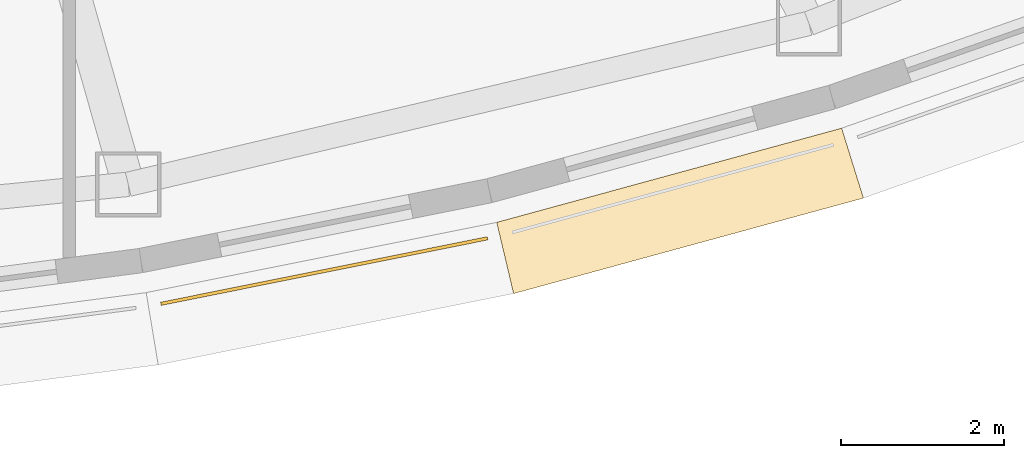
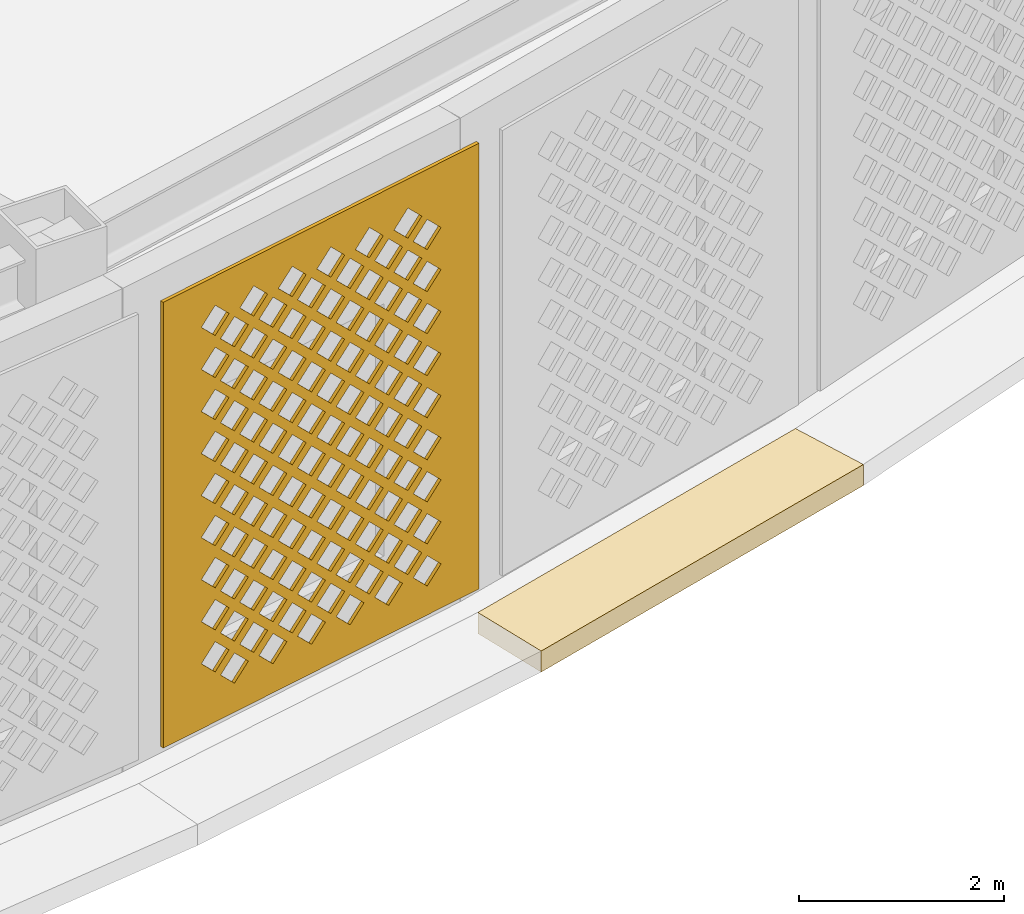
# One storey, part 61 of 74: 2 coverings.
"""IFC4 building model written with IfcOpenShell, lengths in metres."""

from ifc_helpers import new_model, si_unit, direction, frame, origin, place, context, subcontext, project, spatial, polyline, outline, extrude, material, layer, layer_set, type_object, element, save


model = new_model("IFC4")

# Units and contexts
model_context = context("Model", 3, precision=1e-05, world=origin(), true_north=direction((0.0, 1.0)))
body_context = subcontext(model_context, "Body", "Model", "MODEL_VIEW")
ifc_project = project(units=[si_unit("LENGTHUNIT", "METRE"), si_unit("AREAUNIT", "SQUARE_METRE"), si_unit("VOLUMEUNIT", "CUBIC_METRE"), si_unit("PLANEANGLEUNIT", "RADIAN"), si_unit("MASSUNIT", "GRAM", prefix="KILO")], contexts=[model_context])

# Site, building, storey
site_placement = place(None, origin())
site = spatial("IfcSite", under=ifc_project, at=site_placement, CompositionType="ELEMENT")
building_placement = place(site_placement, origin())
building = spatial("IfcBuilding", under=site, at=building_placement, Name="Noorbagh Ring Tower", CompositionType="ELEMENT")
storey_placement = place(building_placement, frame((0.0, 0.0, 13.5)))
storey = spatial("IfcBuildingStorey", under=building, at=storey_placement, Name="L02", CompositionType="ELEMENT", Elevation=13.5)

# Coverings
ifc_material_1 = material(Name="Red sandstone eave", Category="masonry")
covering_type_1 = type_object("IfcCoveringType", Name="STY-CHHAJJA", PredefinedType="USERDEFINED", material=ifc_material_1)
covering_1_placement = place(storey_placement, frame((0.0, 0.0, -0.25)))
element("IfcCovering", 1, at=covering_1_placement, inside=storey, type_object=covering_type_1, Name="Chhajja eave", ObjectType="CHHAJJA", PredefinedType="USERDEFINED", context=body_context, shape_type="SweptSolid", body=[
    extrude(outline(polyline([(15.2568359375, -38.239501953125), (19.49853515625, -37.081298828125), (19.7666015625, -37.941162109375), (15.464111328125, -39.115966796875), (15.2568359375, -38.239501953125)])), origin(), (0.0, 0.0, 1.0), 0.25),
])
ifc_material_2 = material(Name="Red sandstone jali", Category="masonry")
ifc_layer = layer(ifc_material_2, 0.0400390625)
ifc_layer_set = layer_set([ifc_layer], Name="Red sandstone jali")
covering_type_2 = type_object("IfcCoveringType", Name="STY-JALI", PredefinedType="USERDEFINED", material=ifc_layer_set)
covering_2_placement = place(storey_placement, frame((11.130126953125, -39.260498046875, 0.449951171875), z_axis=(0.196528665711, -0.980498079322, 0.0), x_axis=(0.980498079322, 0.196528665711, 0.0)))
element("IfcCovering", 2, at=covering_2_placement, inside=storey, type_object=covering_type_2, Name="Jali screen", ObjectType="SCREEN", PredefinedType="USERDEFINED", context=body_context, shape_type="SweptSolid", body=[
    extrude(outline(polyline([(0.0, 0.0), (4.096923828125, 0.0), (4.096923828125, 5.300048828125), (0.0, 5.300048828125), (0.0, 0.0)]), holes=[polyline([(0.743408203125, 0.52490234375), (0.923583984375, 0.344970703125), (1.103515625, 0.52490234375), (0.923583984375, 0.705078125), (0.743408203125, 0.52490234375)]), polyline([(1.243408203125, 0.52490234375), (1.423583984375, 0.344970703125), (1.603515625, 0.52490234375), (1.423583984375, 0.705078125), (1.243408203125, 0.52490234375)]), polyline([(1.743408203125, 0.52490234375), (1.923583984375, 0.344970703125), (2.103515625, 0.52490234375), (1.923583984375, 0.705078125), (1.743408203125, 0.52490234375)]), polyline([(2.243408203125, 0.52490234375), (2.423583984375, 0.344970703125), (2.603515625, 0.52490234375), (2.423583984375, 0.705078125), (2.243408203125, 0.52490234375)]), polyline([(2.743408203125, 0.52490234375), (2.923583984375, 0.344970703125), (3.103515625, 0.52490234375), (2.923583984375, 0.705078125), (2.743408203125, 0.52490234375)]), polyline([(3.243408203125, 0.52490234375), (3.423583984375, 0.344970703125), (3.603515625, 0.52490234375), (3.423583984375, 0.705078125), (3.243408203125, 0.52490234375)]), polyline([(0.493408203125, 0.77490234375), (0.673583984375, 0.594970703125), (0.853515625, 0.77490234375), (0.673583984375, 0.955078125), (0.493408203125, 0.77490234375)]), polyline([(0.993408203125, 0.77490234375), (1.173583984375, 0.594970703125), (1.353515625, 0.77490234375), (1.173583984375, 0.955078125), (0.993408203125, 0.77490234375)]), polyline([(1.493408203125, 0.77490234375), (1.673583984375, 0.594970703125), (1.853515625, 0.77490234375), (1.673583984375, 0.955078125), (1.493408203125, 0.77490234375)]), polyline([(1.993408203125, 0.77490234375), (2.173583984375, 0.594970703125), (2.353515625, 0.77490234375), (2.173583984375, 0.955078125), (1.993408203125, 0.77490234375)]), polyline([(2.493408203125, 0.77490234375), (2.673583984375, 0.594970703125), (2.853515625, 0.77490234375), (2.673583984375, 0.955078125), (2.493408203125, 0.77490234375)]), polyline([(2.993408203125, 0.77490234375), (3.173583984375, 0.594970703125), (3.353515625, 0.77490234375), (3.173583984375, 0.955078125), (2.993408203125, 0.77490234375)]), polyline([(0.743408203125, 1.02490234375), (0.923583984375, 0.844970703125), (1.103515625, 1.02490234375), (0.923583984375, 1.205078125), (0.743408203125, 1.02490234375)]), polyline([(1.243408203125, 1.02490234375), (1.423583984375, 0.844970703125), (1.603515625, 1.02490234375), (1.423583984375, 1.205078125), (1.243408203125, 1.02490234375)]), polyline([(1.743408203125, 1.02490234375), (1.923583984375, 0.844970703125), (2.103515625, 1.02490234375), (1.923583984375, 1.205078125), (1.743408203125, 1.02490234375)]), polyline([(2.243408203125, 1.02490234375), (2.423583984375, 0.844970703125), (2.603515625, 1.02490234375), (2.423583984375, 1.205078125), (2.243408203125, 1.02490234375)]), polyline([(2.743408203125, 1.02490234375), (2.923583984375, 0.844970703125), (3.103515625, 1.02490234375), (2.923583984375, 1.205078125), (2.743408203125, 1.02490234375)]), polyline([(3.243408203125, 1.02490234375), (3.423583984375, 0.844970703125), (3.603515625, 1.02490234375), (3.423583984375, 1.205078125), (3.243408203125, 1.02490234375)]), polyline([(0.493408203125, 1.27490234375), (0.673583984375, 1.094970703125), (0.853515625, 1.27490234375), (0.673583984375, 1.455078125), (0.493408203125, 1.27490234375)]), polyline([(0.993408203125, 1.27490234375), (1.173583984375, 1.094970703125), (1.353515625, 1.27490234375), (1.173583984375, 1.455078125), (0.993408203125, 1.27490234375)]), polyline([(1.493408203125, 1.27490234375), (1.673583984375, 1.094970703125), (1.853515625, 1.27490234375), (1.673583984375, 1.455078125), (1.493408203125, 1.27490234375)]), polyline([(1.993408203125, 1.27490234375), (2.173583984375, 1.094970703125), (2.353515625, 1.27490234375), (2.173583984375, 1.455078125), (1.993408203125, 1.27490234375)]), polyline([(2.493408203125, 1.27490234375), (2.673583984375, 1.094970703125), (2.853515625, 1.27490234375), (2.673583984375, 1.455078125), (2.493408203125, 1.27490234375)]), polyline([(2.993408203125, 1.27490234375), (3.173583984375, 1.094970703125), (3.353515625, 1.27490234375), (3.173583984375, 1.455078125), (2.993408203125, 1.27490234375)]), polyline([(0.743408203125, 1.52490234375), (0.923583984375, 1.344970703125), (1.103515625, 1.52490234375), (0.923583984375, 1.705078125), (0.743408203125, 1.52490234375)]), polyline([(1.243408203125, 1.52490234375), (1.423583984375, 1.344970703125), (1.603515625, 1.52490234375), (1.423583984375, 1.705078125), (1.243408203125, 1.52490234375)]), polyline([(1.743408203125, 1.52490234375), (1.923583984375, 1.344970703125), (2.103515625, 1.52490234375), (1.923583984375, 1.705078125), (1.743408203125, 1.52490234375)]), polyline([(2.243408203125, 1.52490234375), (2.423583984375, 1.344970703125), (2.603515625, 1.52490234375), (2.423583984375, 1.705078125), (2.243408203125, 1.52490234375)]), polyline([(2.743408203125, 1.52490234375), (2.923583984375, 1.344970703125), (3.103515625, 1.52490234375), (2.923583984375, 1.705078125), (2.743408203125, 1.52490234375)]), polyline([(3.243408203125, 1.52490234375), (3.423583984375, 1.344970703125), (3.603515625, 1.52490234375), (3.423583984375, 1.705078125), (3.243408203125, 1.52490234375)]), polyline([(0.493408203125, 1.77490234375), (0.673583984375, 1.594970703125), (0.853515625, 1.77490234375), (0.673583984375, 1.955078125), (0.493408203125, 1.77490234375)]), polyline([(0.993408203125, 1.77490234375), (1.173583984375, 1.594970703125), (1.353515625, 1.77490234375), (1.173583984375, 1.955078125), (0.993408203125, 1.77490234375)]), polyline([(1.493408203125, 1.77490234375), (1.673583984375, 1.594970703125), (1.853515625, 1.77490234375), (1.673583984375, 1.955078125), (1.493408203125, 1.77490234375)]), polyline([(1.993408203125, 1.77490234375), (2.173583984375, 1.594970703125), (2.353515625, 1.77490234375), (2.173583984375, 1.955078125), (1.993408203125, 1.77490234375)]), polyline([(2.493408203125, 1.77490234375), (2.673583984375, 1.594970703125), (2.853515625, 1.77490234375), (2.673583984375, 1.955078125), (2.493408203125, 1.77490234375)]), polyline([(2.993408203125, 1.77490234375), (3.173583984375, 1.594970703125), (3.353515625, 1.77490234375), (3.173583984375, 1.955078125), (2.993408203125, 1.77490234375)]), polyline([(0.743408203125, 2.02490234375), (0.923583984375, 1.844970703125), (1.103515625, 2.02490234375), (0.923583984375, 2.205078125), (0.743408203125, 2.02490234375)]), polyline([(1.243408203125, 2.02490234375), (1.423583984375, 1.844970703125), (1.603515625, 2.02490234375), (1.423583984375, 2.205078125), (1.243408203125, 2.02490234375)]), polyline([(1.743408203125, 2.02490234375), (1.923583984375, 1.844970703125), (2.103515625, 2.02490234375), (1.923583984375, 2.205078125), (1.743408203125, 2.02490234375)]), polyline([(2.243408203125, 2.02490234375), (2.423583984375, 1.844970703125), (2.603515625, 2.02490234375), (2.423583984375, 2.205078125), (2.243408203125, 2.02490234375)]), polyline([(2.743408203125, 2.02490234375), (2.923583984375, 1.844970703125), (3.103515625, 2.02490234375), (2.923583984375, 2.205078125), (2.743408203125, 2.02490234375)]), polyline([(3.243408203125, 2.02490234375), (3.423583984375, 1.844970703125), (3.603515625, 2.02490234375), (3.423583984375, 2.205078125), (3.243408203125, 2.02490234375)]), polyline([(0.493408203125, 2.27490234375), (0.673583984375, 2.094970703125), (0.853515625, 2.27490234375), (0.673583984375, 2.455078125), (0.493408203125, 2.27490234375)]), polyline([(0.993408203125, 2.27490234375), (1.173583984375, 2.094970703125), (1.353515625, 2.27490234375), (1.173583984375, 2.455078125), (0.993408203125, 2.27490234375)]), polyline([(1.493408203125, 2.27490234375), (1.673583984375, 2.094970703125), (1.853515625, 2.27490234375), (1.673583984375, 2.455078125), (1.493408203125, 2.27490234375)]), polyline([(1.993408203125, 2.27490234375), (2.173583984375, 2.094970703125), (2.353515625, 2.27490234375), (2.173583984375, 2.455078125), (1.993408203125, 2.27490234375)]), polyline([(2.493408203125, 2.27490234375), (2.673583984375, 2.094970703125), (2.853515625, 2.27490234375), (2.673583984375, 2.455078125), (2.493408203125, 2.27490234375)]), polyline([(2.993408203125, 2.27490234375), (3.173583984375, 2.094970703125), (3.353515625, 2.27490234375), (3.173583984375, 2.455078125), (2.993408203125, 2.27490234375)]), polyline([(0.743408203125, 2.52490234375), (0.923583984375, 2.344970703125), (1.103515625, 2.52490234375), (0.923583984375, 2.705078125), (0.743408203125, 2.52490234375)]), polyline([(1.243408203125, 2.52490234375), (1.423583984375, 2.344970703125), (1.603515625, 2.52490234375), (1.423583984375, 2.705078125), (1.243408203125, 2.52490234375)]), polyline([(1.743408203125, 2.52490234375), (1.923583984375, 2.344970703125), (2.103515625, 2.52490234375), (1.923583984375, 2.705078125), (1.743408203125, 2.52490234375)]), polyline([(2.243408203125, 2.52490234375), (2.423583984375, 2.344970703125), (2.603515625, 2.52490234375), (2.423583984375, 2.705078125), (2.243408203125, 2.52490234375)]), polyline([(2.743408203125, 2.52490234375), (2.923583984375, 2.344970703125), (3.103515625, 2.52490234375), (2.923583984375, 2.705078125), (2.743408203125, 2.52490234375)]), polyline([(3.243408203125, 2.52490234375), (3.423583984375, 2.344970703125), (3.603515625, 2.52490234375), (3.423583984375, 2.705078125), (3.243408203125, 2.52490234375)]), polyline([(0.493408203125, 2.77490234375), (0.673583984375, 2.594970703125), (0.853515625, 2.77490234375), (0.673583984375, 2.955078125), (0.493408203125, 2.77490234375)]), polyline([(0.993408203125, 2.77490234375), (1.173583984375, 2.594970703125), (1.353515625, 2.77490234375), (1.173583984375, 2.955078125), (0.993408203125, 2.77490234375)]), polyline([(1.493408203125, 2.77490234375), (1.673583984375, 2.594970703125), (1.853515625, 2.77490234375), (1.673583984375, 2.955078125), (1.493408203125, 2.77490234375)]), polyline([(1.993408203125, 2.77490234375), (2.173583984375, 2.594970703125), (2.353515625, 2.77490234375), (2.173583984375, 2.955078125), (1.993408203125, 2.77490234375)]), polyline([(2.493408203125, 2.77490234375), (2.673583984375, 2.594970703125), (2.853515625, 2.77490234375), (2.673583984375, 2.955078125), (2.493408203125, 2.77490234375)]), polyline([(2.993408203125, 2.77490234375), (3.173583984375, 2.594970703125), (3.353515625, 2.77490234375), (3.173583984375, 2.955078125), (2.993408203125, 2.77490234375)]), polyline([(0.743408203125, 3.02490234375), (0.923583984375, 2.844970703125), (1.103515625, 3.02490234375), (0.923583984375, 3.205078125), (0.743408203125, 3.02490234375)]), polyline([(1.243408203125, 3.02490234375), (1.423583984375, 2.844970703125), (1.603515625, 3.02490234375), (1.423583984375, 3.205078125), (1.243408203125, 3.02490234375)]), polyline([(1.743408203125, 3.02490234375), (1.923583984375, 2.844970703125), (2.103515625, 3.02490234375), (1.923583984375, 3.205078125), (1.743408203125, 3.02490234375)]), polyline([(2.243408203125, 3.02490234375), (2.423583984375, 2.844970703125), (2.603515625, 3.02490234375), (2.423583984375, 3.205078125), (2.243408203125, 3.02490234375)]), polyline([(2.743408203125, 3.02490234375), (2.923583984375, 2.844970703125), (3.103515625, 3.02490234375), (2.923583984375, 3.205078125), (2.743408203125, 3.02490234375)]), polyline([(3.243408203125, 3.02490234375), (3.423583984375, 2.844970703125), (3.603515625, 3.02490234375), (3.423583984375, 3.205078125), (3.243408203125, 3.02490234375)]), polyline([(0.493408203125, 3.27490234375), (0.673583984375, 3.094970703125), (0.853515625, 3.27490234375), (0.673583984375, 3.455078125), (0.493408203125, 3.27490234375)]), polyline([(0.993408203125, 3.27490234375), (1.173583984375, 3.094970703125), (1.353515625, 3.27490234375), (1.173583984375, 3.455078125), (0.993408203125, 3.27490234375)]), polyline([(1.493408203125, 3.27490234375), (1.673583984375, 3.094970703125), (1.853515625, 3.27490234375), (1.673583984375, 3.455078125), (1.493408203125, 3.27490234375)]), polyline([(1.993408203125, 3.27490234375), (2.173583984375, 3.094970703125), (2.353515625, 3.27490234375), (2.173583984375, 3.455078125), (1.993408203125, 3.27490234375)]), polyline([(2.493408203125, 3.27490234375), (2.673583984375, 3.094970703125), (2.853515625, 3.27490234375), (2.673583984375, 3.455078125), (2.493408203125, 3.27490234375)]), polyline([(2.993408203125, 3.27490234375), (3.173583984375, 3.094970703125), (3.353515625, 3.27490234375), (3.173583984375, 3.455078125), (2.993408203125, 3.27490234375)]), polyline([(0.743408203125, 3.52490234375), (0.923583984375, 3.344970703125), (1.103515625, 3.52490234375), (0.923583984375, 3.705078125), (0.743408203125, 3.52490234375)]), polyline([(1.243408203125, 3.52490234375), (1.423583984375, 3.344970703125), (1.603515625, 3.52490234375), (1.423583984375, 3.705078125), (1.243408203125, 3.52490234375)]), polyline([(1.743408203125, 3.52490234375), (1.923583984375, 3.344970703125), (2.103515625, 3.52490234375), (1.923583984375, 3.705078125), (1.743408203125, 3.52490234375)]), polyline([(2.243408203125, 3.52490234375), (2.423583984375, 3.344970703125), (2.603515625, 3.52490234375), (2.423583984375, 3.705078125), (2.243408203125, 3.52490234375)]), polyline([(2.743408203125, 3.52490234375), (2.923583984375, 3.344970703125), (3.103515625, 3.52490234375), (2.923583984375, 3.705078125), (2.743408203125, 3.52490234375)]), polyline([(3.243408203125, 3.52490234375), (3.423583984375, 3.344970703125), (3.603515625, 3.52490234375), (3.423583984375, 3.705078125), (3.243408203125, 3.52490234375)]), polyline([(0.493408203125, 3.77490234375), (0.673583984375, 3.594970703125), (0.853515625, 3.77490234375), (0.673583984375, 3.955078125), (0.493408203125, 3.77490234375)]), polyline([(0.993408203125, 3.77490234375), (1.173583984375, 3.594970703125), (1.353515625, 3.77490234375), (1.173583984375, 3.955078125), (0.993408203125, 3.77490234375)]), polyline([(1.493408203125, 3.77490234375), (1.673583984375, 3.594970703125), (1.853515625, 3.77490234375), (1.673583984375, 3.955078125), (1.493408203125, 3.77490234375)]), polyline([(1.993408203125, 3.77490234375), (2.173583984375, 3.594970703125), (2.353515625, 3.77490234375), (2.173583984375, 3.955078125), (1.993408203125, 3.77490234375)]), polyline([(2.493408203125, 3.77490234375), (2.673583984375, 3.594970703125), (2.853515625, 3.77490234375), (2.673583984375, 3.955078125), (2.493408203125, 3.77490234375)]), polyline([(2.993408203125, 3.77490234375), (3.173583984375, 3.594970703125), (3.353515625, 3.77490234375), (3.173583984375, 3.955078125), (2.993408203125, 3.77490234375)]), polyline([(0.743408203125, 4.02490234375), (0.923583984375, 3.844970703125), (1.103515625, 4.02490234375), (0.923583984375, 4.205078125), (0.743408203125, 4.02490234375)]), polyline([(1.243408203125, 4.02490234375), (1.423583984375, 3.844970703125), (1.603515625, 4.02490234375), (1.423583984375, 4.205078125), (1.243408203125, 4.02490234375)]), polyline([(1.743408203125, 4.02490234375), (1.923583984375, 3.844970703125), (2.103515625, 4.02490234375), (1.923583984375, 4.205078125), (1.743408203125, 4.02490234375)]), polyline([(2.243408203125, 4.02490234375), (2.423583984375, 3.844970703125), (2.603515625, 4.02490234375), (2.423583984375, 4.205078125), (2.243408203125, 4.02490234375)]), polyline([(2.743408203125, 4.02490234375), (2.923583984375, 3.844970703125), (3.103515625, 4.02490234375), (2.923583984375, 4.205078125), (2.743408203125, 4.02490234375)]), polyline([(3.243408203125, 4.02490234375), (3.423583984375, 3.844970703125), (3.603515625, 4.02490234375), (3.423583984375, 4.205078125), (3.243408203125, 4.02490234375)]), polyline([(0.493408203125, 4.27490234375), (0.673583984375, 4.094970703125), (0.853515625, 4.27490234375), (0.673583984375, 4.455078125), (0.493408203125, 4.27490234375)]), polyline([(0.993408203125, 4.27490234375), (1.173583984375, 4.094970703125), (1.353515625, 4.27490234375), (1.173583984375, 4.455078125), (0.993408203125, 4.27490234375)]), polyline([(1.493408203125, 4.27490234375), (1.673583984375, 4.094970703125), (1.853515625, 4.27490234375), (1.673583984375, 4.455078125), (1.493408203125, 4.27490234375)]), polyline([(1.993408203125, 4.27490234375), (2.173583984375, 4.094970703125), (2.353515625, 4.27490234375), (2.173583984375, 4.455078125), (1.993408203125, 4.27490234375)]), polyline([(2.493408203125, 4.27490234375), (2.673583984375, 4.094970703125), (2.853515625, 4.27490234375), (2.673583984375, 4.455078125), (2.493408203125, 4.27490234375)]), polyline([(2.993408203125, 4.27490234375), (3.173583984375, 4.094970703125), (3.353515625, 4.27490234375), (3.173583984375, 4.455078125), (2.993408203125, 4.27490234375)]), polyline([(0.743408203125, 4.52490234375), (0.923583984375, 4.344970703125), (1.103515625, 4.52490234375), (0.923583984375, 4.705078125), (0.743408203125, 4.52490234375)]), polyline([(1.243408203125, 4.52490234375), (1.423583984375, 4.344970703125), (1.603515625, 4.52490234375), (1.423583984375, 4.705078125), (1.243408203125, 4.52490234375)]), polyline([(1.743408203125, 4.52490234375), (1.923583984375, 4.344970703125), (2.103515625, 4.52490234375), (1.923583984375, 4.705078125), (1.743408203125, 4.52490234375)]), polyline([(2.243408203125, 4.52490234375), (2.423583984375, 4.344970703125), (2.603515625, 4.52490234375), (2.423583984375, 4.705078125), (2.243408203125, 4.52490234375)]), polyline([(2.743408203125, 4.52490234375), (2.923583984375, 4.344970703125), (3.103515625, 4.52490234375), (2.923583984375, 4.705078125), (2.743408203125, 4.52490234375)]), polyline([(3.243408203125, 4.52490234375), (3.423583984375, 4.344970703125), (3.603515625, 4.52490234375), (3.423583984375, 4.705078125), (3.243408203125, 4.52490234375)]), polyline([(0.493408203125, 4.77490234375), (0.673583984375, 4.594970703125), (0.853515625, 4.77490234375), (0.673583984375, 4.955078125), (0.493408203125, 4.77490234375)]), polyline([(0.993408203125, 4.77490234375), (1.173583984375, 4.594970703125), (1.353515625, 4.77490234375), (1.173583984375, 4.955078125), (0.993408203125, 4.77490234375)]), polyline([(1.493408203125, 4.77490234375), (1.673583984375, 4.594970703125), (1.853515625, 4.77490234375), (1.673583984375, 4.955078125), (1.493408203125, 4.77490234375)]), polyline([(1.993408203125, 4.77490234375), (2.173583984375, 4.594970703125), (2.353515625, 4.77490234375), (2.173583984375, 4.955078125), (1.993408203125, 4.77490234375)]), polyline([(2.493408203125, 4.77490234375), (2.673583984375, 4.594970703125), (2.853515625, 4.77490234375), (2.673583984375, 4.955078125), (2.493408203125, 4.77490234375)]), polyline([(2.993408203125, 4.77490234375), (3.173583984375, 4.594970703125), (3.353515625, 4.77490234375), (3.173583984375, 4.955078125), (2.993408203125, 4.77490234375)])]), origin(), (0.0, 0.0, -1.0), 0.0400390625),
])

save(model, "model.ifc")
